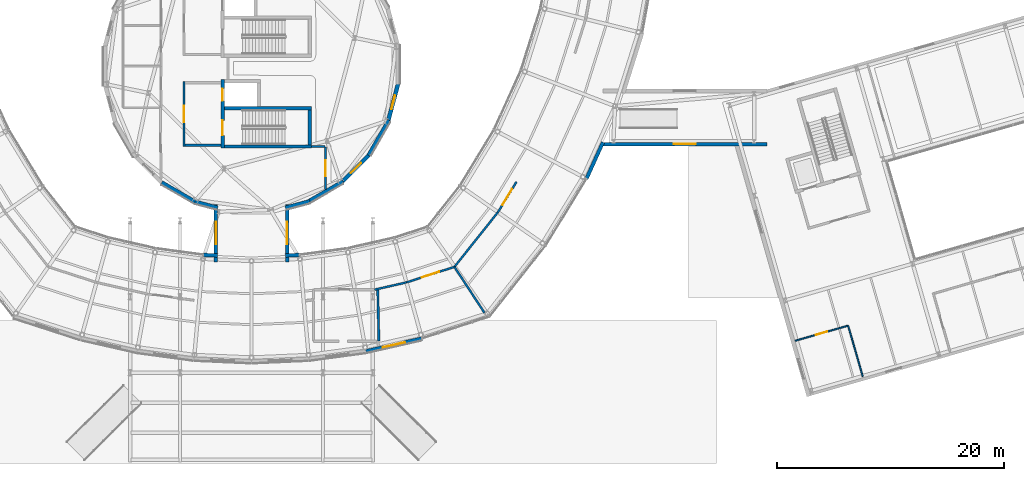
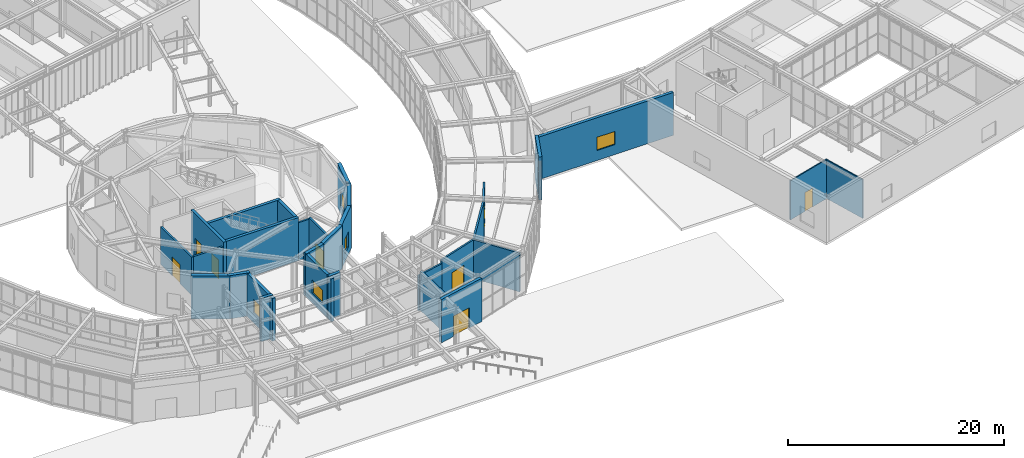
# One storey, part 72 of 97: 30 walls, 8 doors, 5 windows, 13 openings.
"""IFC4 building model written with IfcOpenShell, lengths in metres."""

from ifc_helpers import new_model, si_unit, direction, frame, frame_2d, origin, place, context, subcontext, project, spatial, rectangle, extrude, material, layer, layer_set, type_object, element, fill, save


model = new_model("IFC4")

# Units and contexts
model_context = context("Model", 3, precision=1e-05, world=origin(), true_north=direction((0.0, 1.0)))
body_context = subcontext(model_context, "Body", "Model", "MODEL_VIEW")
ifc_project = project(units=[si_unit("LENGTHUNIT", "METRE"), si_unit("AREAUNIT", "SQUARE_METRE"), si_unit("VOLUMEUNIT", "CUBIC_METRE"), si_unit("PLANEANGLEUNIT", "RADIAN"), si_unit("MASSUNIT", "GRAM", prefix="KILO")], contexts=[model_context])

# Site, building, storey
site_placement = place(None, origin())
site = spatial("IfcSite", under=ifc_project, at=site_placement, CompositionType="ELEMENT")
building_placement = place(site_placement, origin())
building = spatial("IfcBuilding", under=site, at=building_placement, Name="Varnklinge Art Gallery", CompositionType="ELEMENT")
storey_placement = place(building_placement, origin())
storey = spatial("IfcBuildingStorey", under=building, at=storey_placement, Name="L00", CompositionType="ELEMENT", Elevation=0.0)

# Walls
ifc_material_1 = material(Name="Precast concrete C40/50", Category="concrete")
ifc_layer_1 = layer(ifc_material_1, 0.320068359375)
ifc_layer_set_1 = layer_set([ifc_layer_1], Name="Precast concrete C40/50")
wall_type_1 = type_object("IfcWallType", Name="EW-32", PredefinedType="SOLIDWALL", material=ifc_layer_set_1)
wall_1_placement = place(storey_placement, frame((106.485107421875, 31.719970703125, 0.0), z_axis=(0.0, 0.0, 1.0), x_axis=(-0.413433018277, -0.910534534984, 0.0)))
element("IfcWall", 1, at=wall_1_placement, inside=storey, type_object=wall_type_1, Name="EW-V2O-L00-K2-1", PredefinedType="SOLIDWALL", context=body_context, shape_type="SweptSolid", body=[
    extrude(rectangle(XDim=3.53076171875, YDim=0.320068359375, at=frame_2d((1.765380859375, 0.0))), origin(), (0.0, 0.0, 1.0), 4.8798828125),
])
for number, where, z_axis, x_axis, name in (
    (2, (71.261962890625, 21.79443359375, 0.0), (0.0, 0.0, 1.0), (0.998996725621, -0.044783280345, 0.0), "EW-V2I-L00-K35-1"),
    (3, (78.47998046875, 21.738037109375, 0.0), (0.0, 0.0, 1.0), (0.998996725621, 0.044783280345, 0.0), "EW-V2I-L00-K36-1"),
):
    element("IfcWall", number, at=place(storey_placement, frame(where, z_axis=z_axis, x_axis=x_axis)), inside=storey, type_object=wall_type_1, Name=name, PredefinedType="SOLIDWALL", context=body_context, shape_type="SweptSolid", body=[
        extrude(rectangle(XDim=1.25927734375, YDim=0.320068359375, at=frame_2d((0.629638671875, 0.0))), origin(), (0.0, 0.0, 1.0), 4.8798828125),
    ])

# Wall, opening, door
wall_2_placement = place(storey_placement, frame((90.522705078125, 14.42529296875, 0.0), z_axis=(0.0, 0.0, 1.0), x_axis=(-0.975048056311, -0.221993891546, 0.0)))
wall_2 = element("IfcWall", 4, at=wall_2_placement, inside=storey, type_object=wall_type_1, Name="L00 Grand Foyer Entrance Portal Wall 38", PredefinedType="SOLIDWALL", context=body_context, shape_type="SweptSolid", body=[
    extrude(rectangle(XDim=5.066650390625, YDim=0.320068359375, at=frame_2d((2.533203125, 0.0))), origin(), (0.0, 0.0, 1.0), 4.8798828125),
])
opening_1_placement = place(wall_2_placement, frame((1.533203125, 0.0, 0.0)))
opening_1 = element("IfcOpeningElement", 5, at=opening_1_placement, cuts=wall_2, Name="Opening D-L00-E13", PredefinedType="OPENING", context=body_context, shape_type="SweptSolid", body=[
    extrude(rectangle(XDim=2.0, YDim=2.300048828125, at=frame_2d((1.0, 1.14990234375))), frame((0.0, 0.170166015625, 0.0), z_axis=(0.0, -1.0, 0.0), x_axis=(1.0, 0.0, 0.0)), (0.0, 0.0, 1.0), 0.340087890625),
])
ifc_material_2 = material(Name="Anodised Aluminium", Category="aluminium")
door_type_1 = type_object("IfcDoorType", Name="ED-01", OperationType="DOUBLE_DOOR_SINGLE_SWING", PredefinedType="DOOR", material=ifc_material_2)
door_1_placement = place(opening_1_placement, origin())
door_1 = element("IfcDoor", 6, at=door_1_placement, inside=storey, type_object=door_type_1, Name="L00 Grand Foyer Main Entrance Door D-L00-E13", OperationType="DOUBLE_DOOR_SINGLE_SWING", OverallHeight=2.300048828125, OverallWidth=2.0, PredefinedType="DOOR", context=body_context, shape_type="SweptSolid", body=[
    extrude(rectangle(XDim=2.0, YDim=2.300048828125, at=frame_2d((1.0, 1.14990234375))), frame((0.0, 0.02490234375, 0.0), z_axis=(0.0, -1.0, 0.0), x_axis=(1.0, 0.0, 0.0)), (0.0, 0.0, 1.0), 0.050048828125),
])
fill(opening_1, door_1)

# Wall, opening, window
wall_3_placement = place(storey_placement, frame((72.360107421875, 21.1845703125, 0.0), z_axis=(0.0, 0.0, 1.0), x_axis=(0.0, 1.0, 0.0)))
wall_3 = element("IfcWall", 7, at=wall_3_placement, inside=storey, type_object=wall_type_1, Name="L00 Gallery Link Wall EW-LNK-V4S-L00-W", PredefinedType="SOLIDWALL", context=body_context, shape_type="SweptSolid", body=[
    extrude(rectangle(XDim=5.071044921875, YDim=0.320068359375, at=frame_2d((2.53564453125, 0.0))), origin(), (0.0, 0.0, 1.0), 4.820068359375),
])
opening_2_placement = place(wall_3_placement, frame((1.560546875, 0.0, 1.1201171875)))
opening_2 = element("IfcOpeningElement", 8, at=opening_2_placement, cuts=wall_3, Name="Opening WN-05", PredefinedType="OPENING", context=body_context, shape_type="SweptSolid", body=[
    extrude(rectangle(XDim=1.949951171875, YDim=1.5, at=frame_2d((0.97509765625, 0.75))), frame((0.0, 0.170166015625, 0.0), z_axis=(0.0, -1.0, 0.0), x_axis=(1.0, 0.0, 0.0)), (0.0, 0.0, 1.0), 0.340087890625),
])
ifc_material_3 = material(Name="Insulated Low-E Triple Glazing", Category="glass")
window_type_1 = type_object("IfcWindowType", Name="WN-05", PartitioningType="SINGLE_PANEL", PredefinedType="WINDOW", material=ifc_material_3)
window_1_placement = place(opening_2_placement, origin())
window_1 = element("IfcWindow", 9, at=window_1_placement, inside=storey, type_object=window_type_1, Name="L00 Window WIN-L00-218", OverallHeight=1.5, OverallWidth=1.949951171875, PartitioningType="SINGLE_PANEL", PredefinedType="WINDOW", context=body_context, shape_type="SweptSolid", body=[
    extrude(rectangle(XDim=1.949951171875, YDim=1.5, at=frame_2d((0.97509765625, 0.75))), frame((0.0, 0.030029296875, 0.0), z_axis=(0.0, -1.0, 0.0), x_axis=(1.0, 0.0, 0.0)), (0.0, 0.0, 1.0), 0.06005859375),
])
fill(opening_2, window_1)

wall_4_placement = place(storey_placement, frame((78.639892578125, 26.255615234375, 0.0), z_axis=(0.0, 0.0, 1.0), x_axis=(0.0, -1.0, 0.0)))
wall_4 = element("IfcWall", 10, at=wall_4_placement, inside=storey, type_object=wall_type_1, Name="L00 Gallery Link Wall EW-LNK-V4S-L00-E", PredefinedType="SOLIDWALL", context=body_context, shape_type="SweptSolid", body=[
    extrude(rectangle(XDim=5.071044921875, YDim=0.320068359375, at=frame_2d((2.53564453125, 0.0))), origin(), (0.0, 0.0, 1.0), 4.820068359375),
])
opening_3_placement = place(wall_4_placement, frame((1.560546875, 0.0, 1.1201171875)))
opening_3 = element("IfcOpeningElement", 11, at=opening_3_placement, cuts=wall_4, Name="Opening WN-05", PredefinedType="OPENING", context=body_context, shape_type="SweptSolid", body=[
    extrude(rectangle(XDim=1.949951171875, YDim=1.5, at=frame_2d((0.97509765625, 0.75))), frame((0.0, 0.170166015625, 0.0), z_axis=(0.0, -1.0, 0.0), x_axis=(1.0, 0.0, 0.0)), (0.0, 0.0, 1.0), 0.340087890625),
])
window_2_placement = place(opening_3_placement, origin())
window_2 = element("IfcWindow", 12, at=window_2_placement, inside=storey, type_object=window_type_1, Name="L00 Window WIN-L00-219", OverallHeight=1.5, OverallWidth=1.949951171875, PartitioningType="SINGLE_PANEL", PredefinedType="WINDOW", context=body_context, shape_type="SweptSolid", body=[
    extrude(rectangle(XDim=1.949951171875, YDim=1.5, at=frame_2d((0.97509765625, 0.75))), frame((0.0, 0.030029296875, 0.0), z_axis=(0.0, -1.0, 0.0), x_axis=(1.0, 0.0, 0.0)), (0.0, 0.0, 1.0), 0.06005859375),
])
fill(opening_3, window_2)

wall_5_placement = place(storey_placement, frame((120.919921875, 31.56005859375, 0.0), z_axis=(0.0, 0.0, 1.0), x_axis=(-1.0, 0.0, 0.0)))
wall_5 = element("IfcWall", 13, at=wall_5_placement, inside=storey, type_object=wall_type_1, Name="L00 Gallery Link Wall EW-LNK-V6-L00-S", PredefinedType="SOLIDWALL", context=body_context, shape_type="SweptSolid", body=[
    extrude(rectangle(XDim=14.43994140625, YDim=0.320068359375, at=frame_2d((7.219970703125, 0.0))), origin(), (0.0, 0.0, 1.0), 4.820068359375),
])
opening_4_placement = place(wall_5_placement, frame((6.2451171875, 0.0, 1.1201171875)))
opening_4 = element("IfcOpeningElement", 14, at=opening_4_placement, cuts=wall_5, Name="Opening WN-05", PredefinedType="OPENING", context=body_context, shape_type="SweptSolid", body=[
    extrude(rectangle(XDim=1.949951171875, YDim=1.5, at=frame_2d((0.97509765625, 0.75))), frame((0.0, 0.170166015625, 0.0), z_axis=(0.0, -1.0, 0.0), x_axis=(1.0, 0.0, 0.0)), (0.0, 0.0, 1.0), 0.340087890625),
])
window_3_placement = place(opening_4_placement, origin())
window_3 = element("IfcWindow", 15, at=window_3_placement, inside=storey, type_object=window_type_1, Name="L00 Window WIN-L00-233", OverallHeight=1.5, OverallWidth=1.949951171875, PartitioningType="SINGLE_PANEL", PredefinedType="WINDOW", context=body_context, shape_type="SweptSolid", body=[
    extrude(rectangle(XDim=1.949951171875, YDim=1.5, at=frame_2d((0.97509765625, 0.75))), frame((0.0, 0.030029296875, 0.0), z_axis=(0.0, -1.0, 0.0), x_axis=(1.0, 0.0, 0.0)), (0.0, 0.0, 1.0), 0.06005859375),
])
fill(opening_4, window_3)

ifc_material_4 = material(Name="Concrete C40/50", Category="concrete")
ifc_layer_2 = layer(ifc_material_4, 0.360107421875)
ifc_layer_set_2 = layer_set([ifc_layer_2], Name="Concrete C40/50")
wall_type_2 = type_object("IfcWallType", Name="EW-36", PredefinedType="SOLIDWALL", material=ifc_layer_set_2)
wall_6_placement = place(storey_placement, frame((88.45361328125, 36.974609375, 0.0), z_axis=(0.0, 0.0, 1.0), x_axis=(-0.258779281586, -0.965936480014, 0.0)))
wall_6 = element("IfcWall", 16, at=wall_6_placement, inside=storey, type_object=wall_type_2, Name="L00 Exterior Wall EW-V4D-L00-02", PredefinedType="SOLIDWALL", context=body_context, shape_type="SweptSolid", body=[
    extrude(rectangle(XDim=3.578369140625, YDim=0.360107421875, at=frame_2d((1.7890625, 0.0))), origin(), (0.0, 0.0, 1.0), 4.8798828125),
])
opening_5_placement = place(wall_6_placement, frame((1.164306640625, 0.0, 0.85009765625)))
opening_5 = element("IfcOpeningElement", 17, at=opening_5_placement, cuts=wall_6, Name="Opening WN-09", PredefinedType="OPENING", context=body_context, shape_type="SweptSolid", body=[
    extrude(rectangle(XDim=1.25, YDim=1.699951171875, at=frame_2d((0.625, 0.85009765625))), frame((0.0, 0.190185546875, 0.0), z_axis=(0.0, -1.0, 0.0), x_axis=(1.0, 0.0, 0.0)), (0.0, 0.0, 1.0), 0.380126953125),
])
ifc_material_5 = material(Name="Insulated Low-E Triple Glazing", Category="glass")
window_type_2 = type_object("IfcWindowType", Name="WN-09", PartitioningType="SINGLE_PANEL", PredefinedType="WINDOW", material=ifc_material_5)
window_4_placement = place(opening_5_placement, origin())
window_4 = element("IfcWindow", 18, at=window_4_placement, inside=storey, type_object=window_type_2, Name="L00 Window WIN-L00-066", OverallHeight=1.699951171875, OverallWidth=1.25, PartitioningType="SINGLE_PANEL", PredefinedType="WINDOW", context=body_context, shape_type="SweptSolid", body=[
    extrude(rectangle(XDim=1.25, YDim=1.699951171875, at=frame_2d((0.625, 0.85009765625))), frame((0.0, 0.030029296875, 0.0), z_axis=(0.0, -1.0, 0.0), x_axis=(1.0, 0.0, 0.0)), (0.0, 0.0, 1.0), 0.06005859375),
])
fill(opening_5, window_4)

# Wall
wall_7_placement = place(storey_placement, frame((87.617431640625, 33.674072265625, 0.0), z_axis=(0.0, 0.0, 1.0), x_axis=(-0.499925210571, -0.866068579176, 0.0)))
element("IfcWall", 19, at=wall_7_placement, inside=storey, type_object=wall_type_2, Name="L00 Exterior Wall EW-V4D-L00-03", PredefinedType="SOLIDWALL", context=body_context, shape_type="SweptSolid", body=[
    extrude(rectangle(XDim=3.57861328125, YDim=0.360107421875, at=frame_2d((1.789306640625, 0.0))), origin(), (0.0, 0.0, 1.0), 4.8798828125),
])

# Wall, opening, window
wall_8_placement = place(storey_placement, frame((85.95556640625, 30.7021484375, 0.0), z_axis=(0.0, 0.0, 1.0), x_axis=(-0.707072668406, -0.707140892322, 0.0)))
wall_8 = element("IfcWall", 20, at=wall_8_placement, inside=storey, type_object=wall_type_2, Name="L00 Exterior Wall EW-V4D-L00-04", PredefinedType="SOLIDWALL", context=body_context, shape_type="SweptSolid", body=[
    extrude(rectangle(XDim=3.57861328125, YDim=0.360107421875, at=frame_2d((1.789306640625, 0.0))), origin(), (0.0, 0.0, 1.0), 4.8798828125),
])
opening_6_placement = place(wall_8_placement, frame((1.164306640625, 0.0, 0.85009765625)))
opening_6 = element("IfcOpeningElement", 21, at=opening_6_placement, cuts=wall_8, Name="Opening WN-09", PredefinedType="OPENING", context=body_context, shape_type="SweptSolid", body=[
    extrude(rectangle(XDim=1.25, YDim=1.699951171875, at=frame_2d((0.625, 0.85009765625))), frame((0.0, 0.190185546875, 0.0), z_axis=(0.0, -1.0, 0.0), x_axis=(1.0, 0.0, 0.0)), (0.0, 0.0, 1.0), 0.380126953125),
])
window_5_placement = place(opening_6_placement, origin())
window_5 = element("IfcWindow", 22, at=window_5_placement, inside=storey, type_object=window_type_2, Name="L00 Window WIN-L00-067", OverallHeight=1.699951171875, OverallWidth=1.25, PartitioningType="SINGLE_PANEL", PredefinedType="WINDOW", context=body_context, shape_type="SweptSolid", body=[
    extrude(rectangle(XDim=1.25, YDim=1.699951171875, at=frame_2d((0.625, 0.85009765625))), frame((0.0, 0.030029296875, 0.0), z_axis=(0.0, -1.0, 0.0), x_axis=(1.0, 0.0, 0.0)), (0.0, 0.0, 1.0), 0.06005859375),
])
fill(opening_6, window_5)

# Walls
wall_9_placement = place(storey_placement, frame((83.5810546875, 28.26171875, 0.0), z_axis=(0.0, 0.0, 1.0), x_axis=(-0.866021986329, -0.500005919159, 0.0)))
element("IfcWall", 23, at=wall_9_placement, inside=storey, type_object=wall_type_2, Name="L00 Exterior Wall EW-V4D-L00-05", PredefinedType="SOLIDWALL", context=body_context, shape_type="SweptSolid", body=[
    extrude(rectangle(XDim=3.57861328125, YDim=0.360107421875, at=frame_2d((1.789306640625, 0.0))), origin(), (0.0, 0.0, 1.0), 4.8798828125),
])
wall_10_placement = place(storey_placement, frame((80.65576171875, 26.51904296875, 0.0), z_axis=(0.0, 0.0, 1.0), x_axis=(-0.965924829222, -0.258822766178, 0.0)))
element("IfcWall", 24, at=wall_10_placement, inside=storey, type_object=wall_type_2, Name="L00 Exterior Wall EW-V4D-L00-06", PredefinedType="SOLIDWALL", context=body_context, shape_type="SweptSolid", body=[
    extrude(rectangle(XDim=2.25244140625, YDim=0.360107421875, at=frame_2d((1.126220703125, 0.0))), origin(), (0.0, 0.0, 1.0), 4.8798828125),
])
wall_11_placement = place(storey_placement, frame((72.52001953125, 25.93603515625, 0.0), z_axis=(0.0, 0.0, 1.0), x_axis=(-0.965931226398, 0.25879889078, 0.0)))
element("IfcWall", 25, at=wall_11_placement, inside=storey, type_object=wall_type_2, Name="L00 Exterior Wall EW-V4D-L00-07", PredefinedType="SOLIDWALL", context=body_context, shape_type="SweptSolid", body=[
    extrude(rectangle(XDim=2.072509765625, YDim=0.360107421875, at=frame_2d((1.0361328125, 0.0))), origin(), (0.0, 0.0, 1.0), 4.8798828125),
])
wall_12_placement = place(storey_placement, frame((70.674072265625, 26.382568359375, 0.0), z_axis=(0.0, 0.0, 1.0), x_axis=(-0.866068579176, 0.499925210571, 0.0)))
element("IfcWall", 26, at=wall_12_placement, inside=storey, type_object=wall_type_2, Name="L00 Exterior Wall EW-V4D-L00-08", PredefinedType="SOLIDWALL", context=body_context, shape_type="SweptSolid", body=[
    extrude(rectangle(XDim=3.57861328125, YDim=0.360107421875, at=frame_2d((1.789306640625, 0.0))), origin(), (0.0, 0.0, 1.0), 4.8798828125),
])

# Wall, opening, door
ifc_material_6 = material(Name="Gypsum Board Partition", Category="gypsum")
ifc_layer_3 = layer(ifc_material_6, 0.1201171875)
ifc_layer_set_3 = layer_set([ifc_layer_3], Name="Gypsum Board Partition")
wall_type_3 = type_object("IfcWallType", Name="IW-12", PredefinedType="PARTITIONING", material=ifc_layer_set_3)
wall_13_placement = place(storey_placement, frame((123.420654296875, 14.22119140625, 0.0), z_axis=(0.0, 0.0, 1.0), x_axis=(0.961747444681, 0.27393768023, 0.0)))
wall_13 = element("IfcWall", 27, at=wall_13_placement, inside=storey, type_object=wall_type_3, Name="L00 Partition Wall IW-L00-0117", PredefinedType="PARTITIONING", context=body_context, shape_type="SweptSolid", body=[
    extrude(rectangle(XDim=4.857177734375, YDim=0.1201171875, at=frame_2d((2.4287109375, 0.0))), origin(), (0.0, 0.0, 1.0), 4.419921875),
])
opening_7_placement = place(wall_13_placement, frame((1.918701171875, 0.0, 0.0)))
opening_7 = element("IfcOpeningElement", 28, at=opening_7_placement, cuts=wall_13, Name="Opening D-L00-168", PredefinedType="OPENING", context=body_context, shape_type="SweptSolid", body=[
    extrude(rectangle(XDim=1.02001953125, YDim=2.1201171875, at=frame_2d((0.510009765625, 1.06005859375))), frame((0.0, 0.070068359375, 0.0), z_axis=(0.0, -1.0, 0.0), x_axis=(1.0, 0.0, 0.0)), (0.0, 0.0, 1.0), 0.14013671875),
])
ifc_material_7 = material(Name="Oak Timber Leaf", Category="wood")
door_type_2 = type_object("IfcDoorType", Name="ID-03", OperationType="SINGLE_SWING_LEFT", PredefinedType="DOOR", material=ifc_material_7)
door_2_placement = place(opening_7_placement, origin())
door_2 = element("IfcDoor", 29, at=door_2_placement, inside=storey, type_object=door_type_2, Name="L00 L00 Accessible WC Studios Door D-L00-168", OperationType="SINGLE_SWING_RIGHT", OverallHeight=2.1201171875, OverallWidth=1.02001953125, PredefinedType="DOOR", context=body_context, shape_type="SweptSolid", body=[
    extrude(rectangle(XDim=1.02001953125, YDim=2.1201171875, at=frame_2d((0.510009765625, 1.06005859375))), frame((0.0, 0.02490234375, 0.0), z_axis=(0.0, -1.0, 0.0), x_axis=(1.0, 0.0, 0.0)), (0.0, 0.0, 1.0), 0.050048828125),
])
fill(opening_7, door_2)

# Wall
wall_14_placement = place(storey_placement, frame((128.092041015625, 15.5517578125, 0.0), z_axis=(0.0, 0.0, 1.0), x_axis=(0.277468689072, -0.96073468064, 0.0)))
element("IfcWall", 30, at=wall_14_placement, inside=storey, type_object=wall_type_3, Name="L00 Partition Wall IW-L00-0118", PredefinedType="PARTITIONING", context=body_context, shape_type="SweptSolid", body=[
    extrude(rectangle(XDim=4.6572265625, YDim=0.1201171875, at=frame_2d((2.32861328125, 0.0))), origin(), (0.0, 0.0, 1.0), 4.3701171875),
])

# Wall, opening, door
ifc_material_8 = material(Name="Gypsum Board Partition", Category="gypsum")
ifc_layer_4 = layer(ifc_material_8, 0.179931640625)
ifc_layer_set_4 = layer_set([ifc_layer_4], Name="Gypsum Board Partition")
wall_type_4 = type_object("IfcWallType", Name="IW-18", PredefinedType="PARTITIONING", material=ifc_layer_set_4)
wall_15_placement = place(storey_placement, frame((98.857177734375, 28.22998046875, 0.0), z_axis=(0.0, 0.0, 1.0), x_axis=(-0.521030331716, -0.853538161673, 0.0)))
wall_15 = element("IfcWall", 31, at=wall_15_placement, inside=storey, type_object=wall_type_4, Name="L00 Partition Wall IW-L00-0058", PredefinedType="PARTITIONING", context=body_context, shape_type="SweptSolid", body=[
    extrude(rectangle(XDim=3.130126953125, YDim=0.179931640625, at=frame_2d((1.56494140625, 0.0))), origin(), (0.0, 0.0, 1.0), 4.3701171875),
])
opening_8_placement = place(wall_15_placement, frame((0.7451171875, 0.0, 0.0)))
opening_8 = element("IfcOpeningElement", 32, at=opening_8_placement, cuts=wall_15, Name="Opening D-L00-140", PredefinedType="OPENING", context=body_context, shape_type="SweptSolid", body=[
    extrude(rectangle(XDim=1.639892578125, YDim=2.199951171875, at=frame_2d((0.81982421875, 1.10009765625))), frame((0.0, 0.099853515625, 0.0), z_axis=(0.0, -1.0, 0.0), x_axis=(1.0, 0.0, 0.0)), (0.0, 0.0, 1.0), 0.199951171875),
])
ifc_material_9 = material(Name="Oak Timber Leaf", Category="wood")
door_type_3 = type_object("IfcDoorType", Name="ID-08", OperationType="DOUBLE_DOOR_SINGLE_SWING", PredefinedType="DOOR", material=ifc_material_9)
door_3_placement = place(opening_8_placement, origin())
door_3 = element("IfcDoor", 33, at=door_3_placement, inside=storey, type_object=door_type_3, Name="L00 L00 East Ring Exhibition Gallery Door D-L00-140", OperationType="DOUBLE_DOOR_SINGLE_SWING", OverallHeight=2.199951171875, OverallWidth=1.639892578125, PredefinedType="DOOR", context=body_context, shape_type="SweptSolid", body=[
    extrude(rectangle(XDim=1.639892578125, YDim=2.199951171875, at=frame_2d((0.81982421875, 1.10009765625))), frame((0.0, 0.02490234375, 0.0), z_axis=(0.0, -1.0, 0.0), x_axis=(1.0, 0.0, 0.0)), (0.0, 0.0, 1.0), 0.050048828125),
])
fill(opening_8, door_3)

# Wall
wall_16_placement = place(storey_placement, frame((97.226318359375, 25.558349609375, 0.0), z_axis=(0.0, 0.0, 1.0), x_axis=(-0.622978411473, -0.782239029223, 0.0)))
element("IfcWall", 34, at=wall_16_placement, inside=storey, type_object=wall_type_4, Name="L00 Partition Wall IW-L00-0059", PredefinedType="PARTITIONING", context=body_context, shape_type="SweptSolid", body=[
    extrude(rectangle(XDim=6.16259765625, YDim=0.179931640625, at=frame_2d((3.081298828125, 0.0))), origin(), (0.0, 0.0, 1.0), 4.3701171875),
])

# Wall, opening, door
wall_17_placement = place(storey_placement, frame((93.38720703125, 20.73779296875, 0.0), z_axis=(0.0, 0.0, 1.0), x_axis=(-0.951294745439, -0.308282836532, 0.0)))
wall_17 = element("IfcWall", 35, at=wall_17_placement, inside=storey, type_object=wall_type_4, Name="L00 Partition Wall IW-L00-0089", PredefinedType="PARTITIONING", context=body_context, shape_type="SweptSolid", body=[
    extrude(rectangle(XDim=4.4404296875, YDim=0.179931640625, at=frame_2d((2.22021484375, 0.0))), origin(), (0.0, 0.0, 1.0), 4.3701171875),
])
opening_9_placement = place(wall_17_placement, frame((1.400146484375, 0.0, 0.0)))
opening_9 = element("IfcOpeningElement", 36, at=opening_9_placement, cuts=wall_17, Name="Opening D-L00-152", PredefinedType="OPENING", context=body_context, shape_type="SweptSolid", body=[
    extrude(rectangle(XDim=1.639892578125, YDim=2.199951171875, at=frame_2d((0.81982421875, 1.10009765625))), frame((0.0, 0.099853515625, 0.0), z_axis=(0.0, -1.0, 0.0), x_axis=(1.0, 0.0, 0.0)), (0.0, 0.0, 1.0), 0.199951171875),
])
door_4_placement = place(opening_9_placement, origin())
door_4 = element("IfcDoor", 37, at=door_4_placement, inside=storey, type_object=door_type_3, Name="L00 L00 Southeast Ring Cafe Gallery Door D-L00-152", OperationType="DOUBLE_DOOR_SINGLE_SWING", OverallHeight=2.199951171875, OverallWidth=1.639892578125, PredefinedType="DOOR", context=body_context, shape_type="SweptSolid", body=[
    extrude(rectangle(XDim=1.639892578125, YDim=2.199951171875, at=frame_2d((0.81982421875, 1.10009765625))), frame((0.0, 0.02490234375, 0.0), z_axis=(0.0, -1.0, 0.0), x_axis=(1.0, 0.0, 0.0)), (0.0, 0.0, 1.0), 0.050048828125),
])
fill(opening_9, door_4)

# Walls
wall_18_placement = place(storey_placement, frame((89.1630859375, 19.368896484375, 0.0), z_axis=(0.0, 0.0, 1.0), x_axis=(-0.975037753208, -0.222039140284, 0.0)))
element("IfcWall", 38, at=wall_18_placement, inside=storey, type_object=wall_type_4, Name="L00 Partition Wall IW-L00-0090", PredefinedType="PARTITIONING", context=body_context, shape_type="SweptSolid", body=[
    extrude(rectangle(XDim=2.87744140625, YDim=0.179931640625, at=frame_2d((1.438720703125, 0.0))), origin(), (0.0, 0.0, 1.0), 3.9599609375),
])
wall_19_placement = place(storey_placement, frame((80.800048828125, 31.330078125, 0.0), z_axis=(0.0, 0.0, 1.0), x_axis=(1.0, 0.0, 0.0)))
element("IfcWall", 39, at=wall_19_placement, inside=storey, type_object=wall_type_4, Name="L00 Partition Wall IW-L00-0099", PredefinedType="PARTITIONING", context=body_context, shape_type="SweptSolid", body=[
    extrude(rectangle(XDim=1.199951171875, YDim=0.179931640625, at=frame_2d((0.60009765625, 0.0))), origin(), (0.0, 0.0, 1.0), 4.27001953125),
])

# Wall, opening, door
wall_20_placement = place(storey_placement, frame((82.02880859375, 31.30859375, 0.0), z_axis=(0.0, 0.0, 1.0), x_axis=(0.000327267949, -0.999999946448, 0.0)))
wall_20 = element("IfcWall", 40, at=wall_20_placement, inside=storey, type_object=wall_type_4, Name="L00 Partition Wall IW-L00-0100", PredefinedType="PARTITIONING", context=body_context, shape_type="SweptSolid", body=[
    extrude(rectangle(XDim=3.72998046875, YDim=0.179931640625, at=frame_2d((1.864990234375, 0.0))), origin(), (0.0, 0.0, 1.0), 4.419921875),
])
opening_10_placement = place(wall_20_placement, frame((1.155029296875, 0.0, 0.0)))
opening_10 = element("IfcOpeningElement", 41, at=opening_10_placement, cuts=wall_20, Name="Opening D-L00-159", PredefinedType="OPENING", context=body_context, shape_type="SweptSolid", body=[
    extrude(rectangle(XDim=1.419921875, YDim=2.179931640625, at=frame_2d((0.7099609375, 1.08984375))), frame((0.0, 0.099853515625, 0.0), z_axis=(0.0, -1.0, 0.0), x_axis=(1.0, 0.0, 0.0)), (0.0, 0.0, 1.0), 0.199951171875),
])
ifc_material_10 = material(Name="Oak Timber Leaf", Category="wood")
door_type_4 = type_object("IfcDoorType", Name="ID-07", OperationType="DOUBLE_DOOR_SINGLE_SWING", PredefinedType="DOOR", material=ifc_material_10)
door_5_placement = place(opening_10_placement, origin())
door_5 = element("IfcDoor", 42, at=door_5_placement, inside=storey, type_object=door_type_4, Name="L00 L00 Drum Sculpture Rotunda Gallery Door D-L00-159", OperationType="DOUBLE_DOOR_SINGLE_SWING", OverallHeight=2.179931640625, OverallWidth=1.419921875, PredefinedType="DOOR", context=body_context, shape_type="SweptSolid", body=[
    extrude(rectangle(XDim=1.419921875, YDim=2.179931640625, at=frame_2d((0.7099609375, 1.08984375))), frame((0.0, 0.02490234375, 0.0), z_axis=(0.0, -1.0, 0.0), x_axis=(1.0, 0.0, 0.0)), (0.0, 0.0, 1.0), 0.050048828125),
])
fill(opening_10, door_5)

# Walls
wall_21_placement = place(storey_placement, frame((96.0361328125, 16.68994140625, 0.0), z_axis=(0.0, 0.0, 1.0), x_axis=(-0.547563449624, 0.836764165483, 0.0)))
element("IfcWall", 43, at=wall_21_placement, inside=storey, type_object=wall_type_4, Name="L00 Partition Wall IW-L00-0136", PredefinedType="PARTITIONING", context=body_context, shape_type="SweptSolid", body=[
    extrude(rectangle(XDim=4.837158203125, YDim=0.179931640625, at=frame_2d((2.41845703125, 0.0))), origin(), (0.0, 0.0, 1.0), 4.3701171875),
])
ifc_material_11 = material(Name="Concrete C40/50", Category="concrete")
ifc_layer_5 = layer(ifc_material_11, 0.199951171875)
ifc_layer_set_5 = layer_set([ifc_layer_5], Name="Concrete C40/50")
wall_type_5 = type_object("IfcWallType", Name="IW-20", PredefinedType="PARTITIONING", material=ifc_layer_set_5)
wall_22_placement = place(storey_placement, frame((69.64990234375, 31.449951171875, 0.0), z_axis=(0.0, 0.0, 1.0), x_axis=(1.0, 0.0, 0.0)))
element("IfcWall", 44, at=wall_22_placement, inside=storey, type_object=wall_type_5, Name="L00 Core C1 Lobby South Wall", PredefinedType="PARTITIONING", context=body_context, shape_type="SweptSolid", body=[
    extrude(rectangle(XDim=3.150146484375, YDim=0.199951171875, at=frame_2d((1.5751953125, 0.0))), origin(), (0.0, 0.0, 1.0), 4.27001953125),
])

# Wall, opening, door
wall_23_placement = place(storey_placement, frame((69.550048828125, 31.35009765625, 0.0), z_axis=(0.0, 0.0, 1.0), x_axis=(0.0, 1.0, 0.0)))
wall_23 = element("IfcWall", 45, at=wall_23_placement, inside=storey, type_object=wall_type_5, Name="L00 Core C1 Lobby Corridor Wall", PredefinedType="PARTITIONING", context=body_context, shape_type="SweptSolid", body=[
    extrude(rectangle(XDim=5.7099609375, YDim=0.199951171875, at=frame_2d((2.85498046875, 0.0))), origin(), (0.0, 0.0, 1.0), 4.27001953125),
])
opening_11_placement = place(wall_23_placement, frame((2.114990234375, 0.0, 0.0)))
opening_11 = element("IfcOpeningElement", 46, at=opening_11_placement, cuts=wall_23, Name="Opening D-L00-006", PredefinedType="OPENING", context=body_context, shape_type="SweptSolid", body=[
    extrude(rectangle(XDim=1.47998046875, YDim=2.14990234375, at=frame_2d((0.739990234375, 1.074951171875))), frame((0.0, 0.110107421875, 0.0), z_axis=(0.0, -1.0, 0.0), x_axis=(1.0, 0.0, 0.0)), (0.0, 0.0, 1.0), 0.219970703125),
])
ifc_material_12 = material(Name="Galvanised Fire-Rated Steel", Category="steel")
door_type_5 = type_object("IfcDoorType", Name="ID-LB1", OperationType="DOUBLE_DOOR_SINGLE_SWING", PredefinedType="DOOR", material=ifc_material_12)
door_6_placement = place(opening_11_placement, origin())
door_6 = element("IfcDoor", 47, at=door_6_placement, inside=storey, type_object=door_type_5, Name="L00 Core C1 Protected Lobby Door D-L00-006", OperationType="DOUBLE_DOOR_SINGLE_SWING", OverallHeight=2.14990234375, OverallWidth=1.47998046875, PredefinedType="DOOR", context=body_context, shape_type="SweptSolid", body=[
    extrude(rectangle(XDim=1.47998046875, YDim=2.14990234375, at=frame_2d((0.739990234375, 1.074951171875))), frame((0.0, 0.02490234375, 0.0), z_axis=(0.0, -1.0, 0.0), x_axis=(1.0, 0.0, 0.0)), (0.0, 0.0, 1.0), 0.050048828125),
])
fill(opening_11, door_6)

# Walls
wall_24_placement = place(storey_placement, frame((86.6298828125, 18.684326171875, 0.0), z_axis=(0.0, 0.0, 1.0), x_axis=(0.021679413078, -0.999764973906, 0.0)))
element("IfcWall", 48, at=wall_24_placement, inside=storey, type_object=wall_type_5, Name="L00 Partition Wall IW-L00-0135", PredefinedType="PARTITIONING", context=body_context, shape_type="SweptSolid", body=[
    extrude(rectangle(XDim=4.470703125, YDim=0.199951171875, at=frame_2d((2.2353515625, 0.0))), origin(), (0.0, 0.0, 1.0), 4.419921875),
])
ifc_material_13 = material(Name="Concrete C40/50", Category="concrete")
ifc_layer_6 = layer(ifc_material_13, 0.300048828125)
ifc_layer_set_6 = layer_set([ifc_layer_6], Name="Concrete C40/50")
wall_type_6 = type_object("IfcWallType", Name="SW-30", PredefinedType="SHEAR", material=ifc_layer_set_6)
wall_25_placement = place(storey_placement, frame((73.10009765625, 31.35009765625, 0.0), z_axis=(0.0, 0.0, 1.0), x_axis=(1.0, 0.0, 0.0)))
element("IfcWall", 49, at=wall_25_placement, inside=storey, type_object=wall_type_6, Name="L00 Core C1 South Shear Wall", PredefinedType="SHEAR", context=body_context, shape_type="SweptSolid", body=[
    extrude(rectangle(XDim=7.699951171875, YDim=0.300048828125, at=frame_2d((3.85009765625, 0.0))), origin(), (0.0, 0.0, 1.0), 4.8798828125),
])
wall_26_placement = place(storey_placement, frame((80.64990234375, 31.5, 0.0), z_axis=(0.0, 0.0, 1.0), x_axis=(0.0, 1.0, 0.0)))
element("IfcWall", 50, at=wall_26_placement, inside=storey, type_object=wall_type_6, Name="L00 Core C1 East Shear Wall", PredefinedType="SHEAR", context=body_context, shape_type="SweptSolid", body=[
    extrude(rectangle(XDim=3.06005859375, YDim=0.300048828125, at=frame_2d((1.530029296875, 0.0))), origin(), (0.0, 0.0, 1.0), 4.8798828125),
])
wall_27_placement = place(storey_placement, frame((80.800048828125, 34.7099609375, 0.0), z_axis=(0.0, 0.0, 1.0), x_axis=(-1.0, 0.0, 0.0)))
element("IfcWall", 51, at=wall_27_placement, inside=storey, type_object=wall_type_6, Name="L00 Core C1 Dividing Shear Wall", PredefinedType="SHEAR", context=body_context, shape_type="SweptSolid", body=[
    extrude(rectangle(XDim=7.699951171875, YDim=0.300048828125, at=frame_2d((3.85009765625, 0.0))), origin(), (0.0, 0.0, 1.0), 4.8798828125),
])

# Wall, openings, doors
wall_28_placement = place(storey_placement, frame((72.949951171875, 37.260009765625, 0.0), z_axis=(0.0, 0.0, 1.0), x_axis=(0.0, -1.0, 0.0)))
wall_28 = element("IfcWall", 52, at=wall_28_placement, inside=storey, type_object=wall_type_6, Name="L00 Core C1 Front Shear Wall", PredefinedType="SHEAR", context=body_context, shape_type="SweptSolid", body=[
    extrude(rectangle(XDim=6.06005859375, YDim=0.300048828125, at=frame_2d((3.030029296875, 0.0))), origin(), (0.0, 0.0, 1.0), 4.8798828125),
])
opening_12_placement = place(wall_28_placement, frame((0.800048828125, 0.0, 0.0)))
opening_12 = element("IfcOpeningElement", 53, at=opening_12_placement, cuts=wall_28, Name="Opening LD-L00-004", PredefinedType="OPENING", context=body_context, shape_type="SweptSolid", body=[
    extrude(rectangle(XDim=1.10009765625, YDim=2.1201171875, at=frame_2d((0.550048828125, 1.06005859375))), frame((0.0, 0.159912109375, 0.0), z_axis=(0.0, -1.0, 0.0), x_axis=(1.0, 0.0, 0.0)), (0.0, 0.0, 1.0), 0.320068359375),
])
opening_13_placement = place(wall_28_placement, frame((3.60009765625, 0.0, 0.0)))
opening_13 = element("IfcOpeningElement", 54, at=opening_13_placement, cuts=wall_28, Name="Opening D-L00-005", PredefinedType="OPENING", context=body_context, shape_type="SweptSolid", body=[
    extrude(rectangle(XDim=1.320068359375, YDim=2.1201171875, at=frame_2d((0.66015625, 1.06005859375))), frame((0.0, 0.159912109375, 0.0), z_axis=(0.0, -1.0, 0.0), x_axis=(1.0, 0.0, 0.0)), (0.0, 0.0, 1.0), 0.320068359375),
])
ifc_material_14 = material(Name="Galvanised Fire-Rated Steel", Category="steel")
door_type_6 = type_object("IfcDoorType", Name="ID-ST1", OperationType="SINGLE_SWING_LEFT", PredefinedType="DOOR", material=ifc_material_14)
door_7_placement = place(opening_13_placement, origin())
door_7 = element("IfcDoor", 55, at=door_7_placement, inside=storey, type_object=door_type_6, Name="L00 Stair ST-01 Fire Door D-L00-005", OperationType="SINGLE_SWING_RIGHT", OverallHeight=2.1201171875, OverallWidth=1.320068359375, PredefinedType="DOOR", context=body_context, shape_type="SweptSolid", body=[
    extrude(rectangle(XDim=1.320068359375, YDim=2.1201171875, at=frame_2d((0.66015625, 1.06005859375))), frame((0.0, 0.02490234375, 0.0), z_axis=(0.0, -1.0, 0.0), x_axis=(1.0, 0.0, 0.0)), (0.0, 0.0, 1.0), 0.050048828125),
])
fill(opening_13, door_7)
ifc_material_15 = material(Name="Anodised Aluminium", Category="aluminium")
door_type_7 = type_object("IfcDoorType", Name="LD-PAX", OperationType="SLIDING_TO_LEFT", PredefinedType="DOOR", material=ifc_material_15)
door_8_placement = place(opening_12_placement, origin())
door_8 = element("IfcDoor", 56, at=door_8_placement, inside=storey, type_object=door_type_7, Name="L00 LF-01 Sliding Landing Door LD-L00-004", OperationType="SLIDING_TO_LEFT", OverallHeight=2.1201171875, OverallWidth=1.10009765625, PredefinedType="DOOR", context=body_context, shape_type="SweptSolid", body=[
    extrude(rectangle(XDim=1.10009765625, YDim=2.1201171875, at=frame_2d((0.550048828125, 1.06005859375))), frame((0.0, 0.02490234375, 0.0), z_axis=(0.0, -1.0, 0.0), x_axis=(1.0, 0.0, 0.0)), (0.0, 0.0, 1.0), 0.050048828125),
])
fill(opening_12, door_8)

save(model, "model.ifc")
